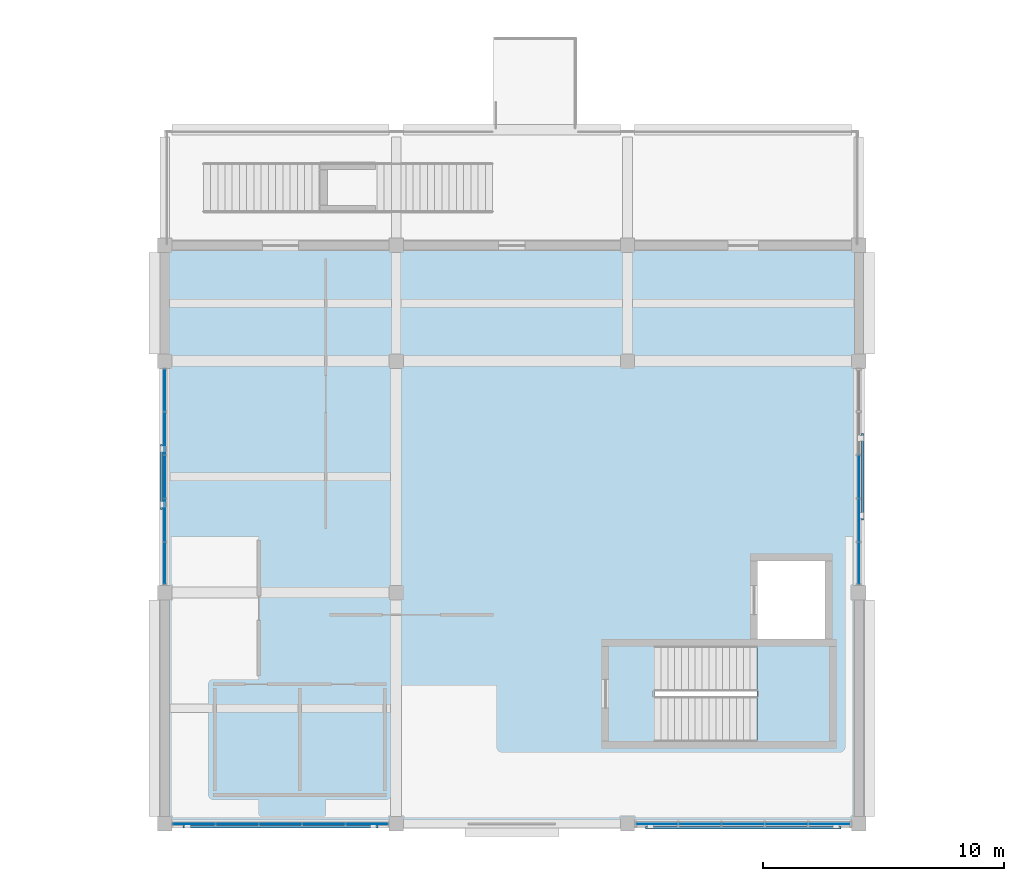
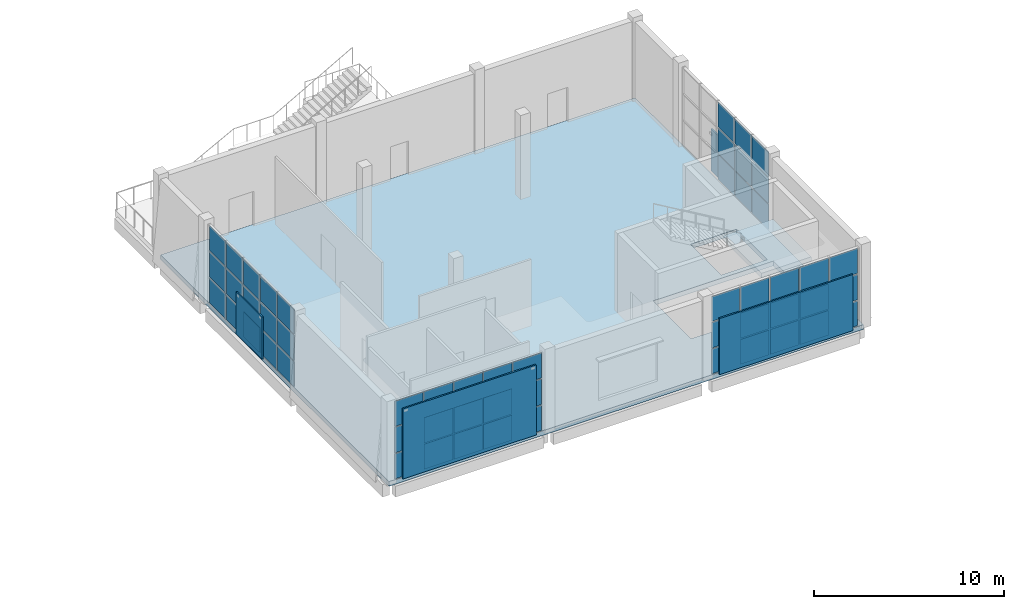
# One storey, part 29 of 57: 58 plates, 2 slabs, 5 elements without a shape of their own.
"""IFC4 building model written with IfcOpenShell, lengths in metres."""

from ifc_helpers import new_model, si_unit, direction, frame, origin, origin_2d, place, context, subcontext, project, spatial, polyline, rectangle, outline, extrude, material, layer, layer_set, type_object, element, aggregate, save


model = new_model("IFC4")

# Units and contexts
model_context = context("Model", 3, precision=1e-05, world=origin(), true_north=direction((0.0, 1.0)))
body_context = subcontext(model_context, "Body", "Model", "MODEL_VIEW")
ifc_project = project(units=[si_unit("LENGTHUNIT", "METRE"), si_unit("AREAUNIT", "SQUARE_METRE"), si_unit("VOLUMEUNIT", "CUBIC_METRE"), si_unit("PLANEANGLEUNIT", "RADIAN"), si_unit("MASSUNIT", "GRAM", prefix="KILO")], contexts=[model_context])

# Site, building, storey
site_placement = place(None, origin())
site = spatial("IfcSite", under=ifc_project, at=site_placement, CompositionType="ELEMENT")
building_placement = place(site_placement, origin())
building = spatial("IfcBuilding", under=site, at=building_placement, Name="Shalvenor Court Art Gallery", CompositionType="ELEMENT")
storey_placement = place(building_placement, frame((0.0, 0.0, 16.800048828125)))
storey = spatial("IfcBuildingStorey", under=building, at=storey_placement, Name="L03", CompositionType="ELEMENT", Elevation=16.800048828125)

# Curtain wall, plates
ifc_material_1 = material(Name="Anodised aluminium and low-iron glass curtain wall", Category="aluminium")
curtain_wall_type_1 = type_object("IfcCurtainWallType", Name="CW-5x3-90-51-222", PredefinedType="USERDEFINED", material=ifc_material_1)
curtain_wall_1_placement = place(storey_placement, origin())
curtain_wall_1 = element("IfcCurtainWall", 1, at=curtain_wall_1_placement, inside=storey, type_object=curtain_wall_type_1, Name="L03 V3 Curtain Wall CW-L03-109", ObjectType="CURTAIN WALL", PredefinedType="USERDEFINED")
ifc_material_2 = material(Name="Low-iron triple-silver solar gallery glazing IGU", Category="glass")
ifc_layer_1 = layer(ifc_material_2, 0.031982421875, Name="Low-iron triple-silver solar gallery glazing IGU")
ifc_layer_set_1 = layer_set([ifc_layer_1], Name="Low-iron triple-silver solar gallery glazing IGU")
plate_type_1 = type_object("IfcPlateType", Name="CWP-02", PredefinedType="CURTAIN_PANEL", material=ifc_layer_set_1)
plate_1_placement = place(storey_placement, frame((124.800048828125, 14.39990234375, 0.06494140625), z_axis=(0.0, 0.0, 1.0), x_axis=(0.0, -1.0, 0.0)))
plate_1 = element("IfcPlate", 2, at=plate_1_placement, type_object=plate_type_1, Name="CW-5x3-90-51-222 panel 3.1", PredefinedType="CURTAIN_PANEL", context=body_context, shape_type="SweptSolid", body=[
    extrude(rectangle(XDim=1.72998046875, YDim=0.031982421875, at=origin_2d()), origin(), (0.0, 0.0, 1.0), 1.6025390625),
])
plate_2_placement = place(storey_placement, frame((124.800048828125, 14.39990234375, 1.732421875), z_axis=(0.0, 0.0, 1.0), x_axis=(0.0, -1.0, 0.0)))
plate_2 = element("IfcPlate", 3, at=plate_2_placement, type_object=plate_type_1, Name="CW-5x3-90-51-222 panel 3.2", PredefinedType="CURTAIN_PANEL", context=body_context, shape_type="SweptSolid", body=[
    extrude(rectangle(XDim=1.72998046875, YDim=0.031982421875, at=origin_2d()), origin(), (0.0, 0.0, 1.0), 1.635009765625),
])
plate_3_placement = place(storey_placement, frame((124.800048828125, 14.39990234375, 3.432373046875), z_axis=(0.0, 0.0, 1.0), x_axis=(0.0, -1.0, 0.0)))
plate_3 = element("IfcPlate", 4, at=plate_3_placement, type_object=plate_type_1, Name="CW-5x3-90-51-222 panel 3.3", PredefinedType="CURTAIN_PANEL", context=body_context, shape_type="SweptSolid", body=[
    extrude(rectangle(XDim=1.72998046875, YDim=0.031982421875, at=origin_2d()), origin(), (0.0, 0.0, 1.0), 1.6025390625),
])
plate_4_placement = place(storey_placement, frame((124.800048828125, 12.60009765625, 0.06494140625), z_axis=(0.0, 0.0, 1.0), x_axis=(0.0, -1.0, 0.0)))
plate_4 = element("IfcPlate", 5, at=plate_4_placement, type_object=plate_type_1, Name="CW-5x3-90-51-222 panel 4.1", PredefinedType="CURTAIN_PANEL", context=body_context, shape_type="SweptSolid", body=[
    extrude(rectangle(XDim=1.72998046875, YDim=0.031982421875, at=origin_2d()), origin(), (0.0, 0.0, 1.0), 1.6025390625),
])
plate_5_placement = place(storey_placement, frame((124.800048828125, 12.60009765625, 1.732421875), z_axis=(0.0, 0.0, 1.0), x_axis=(0.0, -1.0, 0.0)))
plate_5 = element("IfcPlate", 6, at=plate_5_placement, type_object=plate_type_1, Name="CW-5x3-90-51-222 panel 4.2", PredefinedType="CURTAIN_PANEL", context=body_context, shape_type="SweptSolid", body=[
    extrude(rectangle(XDim=1.72998046875, YDim=0.031982421875, at=origin_2d()), origin(), (0.0, 0.0, 1.0), 1.635009765625),
])
plate_6_placement = place(storey_placement, frame((124.800048828125, 12.60009765625, 3.432373046875), z_axis=(0.0, 0.0, 1.0), x_axis=(0.0, -1.0, 0.0)))
plate_6 = element("IfcPlate", 7, at=plate_6_placement, type_object=plate_type_1, Name="CW-5x3-90-51-222 panel 4.3", PredefinedType="CURTAIN_PANEL", context=body_context, shape_type="SweptSolid", body=[
    extrude(rectangle(XDim=1.72998046875, YDim=0.031982421875, at=origin_2d()), origin(), (0.0, 0.0, 1.0), 1.6025390625),
])
plate_7_placement = place(storey_placement, frame((124.800048828125, 10.8173828125, 0.06494140625), z_axis=(0.0, 0.0, 1.0), x_axis=(0.0, -1.0, 0.0)))
plate_7 = element("IfcPlate", 8, at=plate_7_placement, type_object=plate_type_1, Name="CW-5x3-90-51-222 panel 5.1", PredefinedType="CURTAIN_PANEL", context=body_context, shape_type="SweptSolid", body=[
    extrude(rectangle(XDim=1.695068359375, YDim=0.031982421875, at=origin_2d()), origin(), (0.0, 0.0, 1.0), 1.6025390625),
])
plate_8_placement = place(storey_placement, frame((124.800048828125, 10.8173828125, 1.732421875), z_axis=(0.0, 0.0, 1.0), x_axis=(0.0, -1.0, 0.0)))
plate_8 = element("IfcPlate", 9, at=plate_8_placement, type_object=plate_type_1, Name="CW-5x3-90-51-222 panel 5.2", PredefinedType="CURTAIN_PANEL", context=body_context, shape_type="SweptSolid", body=[
    extrude(rectangle(XDim=1.695068359375, YDim=0.031982421875, at=origin_2d()), origin(), (0.0, 0.0, 1.0), 1.635009765625),
])
plate_9_placement = place(storey_placement, frame((124.800048828125, 10.8173828125, 3.432373046875), z_axis=(0.0, 0.0, 1.0), x_axis=(0.0, -1.0, 0.0)))
plate_9 = element("IfcPlate", 10, at=plate_9_placement, type_object=plate_type_1, Name="CW-5x3-90-51-222 panel 5.3", PredefinedType="CURTAIN_PANEL", context=body_context, shape_type="SweptSolid", body=[
    extrude(rectangle(XDim=1.695068359375, YDim=0.031982421875, at=origin_2d()), origin(), (0.0, 0.0, 1.0), 1.6025390625),
])
aggregate(curtain_wall_1, [plate_1, plate_2, plate_3, plate_4, plate_5, plate_6, plate_7, plate_8, plate_9])

ifc_material_3 = material(Name="Anodised aluminium and low-iron glass curtain wall", Category="aluminium")
curtain_wall_type_2 = type_object("IfcCurtainWallType", Name="CW-5x3-90-51-442", PredefinedType="USERDEFINED", material=ifc_material_3)
curtain_wall_2_placement = place(storey_placement, origin())
curtain_wall_2 = element("IfcCurtainWall", 11, at=curtain_wall_2_placement, inside=storey, type_object=curtain_wall_type_2, Name="L03 V3 Curtain Wall CW-L03-110", ObjectType="CURTAIN WALL", PredefinedType="USERDEFINED")
plate_10_placement = place(storey_placement, frame((123.581298828125, 0.0, 0.06982421875), z_axis=(0.0, 0.0, 1.0), x_axis=(-1.0, 0.0, 0.0)))
plate_10 = element("IfcPlate", 12, at=plate_10_placement, type_object=plate_type_1, Name="CW-5x3-90-51-442 panel 1.1", PredefinedType="CURTAIN_PANEL", context=body_context, shape_type="SweptSolid", body=[
    extrude(rectangle(XDim=1.6875, YDim=0.031982421875, at=origin_2d()), origin(), (0.0, 0.0, 1.0), 1.594970703125),
])
plate_11_placement = place(storey_placement, frame((123.581298828125, 0.0, 1.735107421875), z_axis=(0.0, 0.0, 1.0), x_axis=(-1.0, 0.0, 0.0)))
plate_11 = element("IfcPlate", 13, at=plate_11_placement, type_object=plate_type_1, Name="CW-5x3-90-51-442 panel 1.2", PredefinedType="CURTAIN_PANEL", context=body_context, shape_type="SweptSolid", body=[
    extrude(rectangle(XDim=1.6875, YDim=0.031982421875, at=origin_2d()), origin(), (0.0, 0.0, 1.0), 1.6298828125),
])
plate_12_placement = place(storey_placement, frame((123.581298828125, 0.0, 3.43505859375), z_axis=(0.0, 0.0, 1.0), x_axis=(-1.0, 0.0, 0.0)))
plate_12 = element("IfcPlate", 14, at=plate_12_placement, type_object=plate_type_1, Name="CW-5x3-90-51-442 panel 1.3", PredefinedType="CURTAIN_PANEL", context=body_context, shape_type="SweptSolid", body=[
    extrude(rectangle(XDim=1.6875, YDim=0.031982421875, at=origin_2d()), origin(), (0.0, 0.0, 1.0), 1.594970703125),
])
plate_13_placement = place(storey_placement, frame((121.800048828125, 0.0, 0.06982421875), z_axis=(0.0, 0.0, 1.0), x_axis=(-1.0, 0.0, 0.0)))
plate_13 = element("IfcPlate", 15, at=plate_13_placement, type_object=plate_type_1, Name="CW-5x3-90-51-442 panel 2.1", PredefinedType="CURTAIN_PANEL", context=body_context, shape_type="SweptSolid", body=[
    extrude(rectangle(XDim=1.72509765625, YDim=0.031982421875, at=origin_2d()), origin(), (0.0, 0.0, 1.0), 1.594970703125),
])
plate_14_placement = place(storey_placement, frame((121.800048828125, 0.0, 1.735107421875), z_axis=(0.0, 0.0, 1.0), x_axis=(-1.0, 0.0, 0.0)))
plate_14 = element("IfcPlate", 16, at=plate_14_placement, type_object=plate_type_1, Name="CW-5x3-90-51-442 panel 2.2", PredefinedType="CURTAIN_PANEL", context=body_context, shape_type="SweptSolid", body=[
    extrude(rectangle(XDim=1.72509765625, YDim=0.031982421875, at=origin_2d()), origin(), (0.0, 0.0, 1.0), 1.6298828125),
])
plate_15_placement = place(storey_placement, frame((121.800048828125, 0.0, 3.43505859375), z_axis=(0.0, 0.0, 1.0), x_axis=(-1.0, 0.0, 0.0)))
plate_15 = element("IfcPlate", 17, at=plate_15_placement, type_object=plate_type_1, Name="CW-5x3-90-51-442 panel 2.3", PredefinedType="CURTAIN_PANEL", context=body_context, shape_type="SweptSolid", body=[
    extrude(rectangle(XDim=1.72509765625, YDim=0.031982421875, at=origin_2d()), origin(), (0.0, 0.0, 1.0), 1.594970703125),
])
plate_16_placement = place(storey_placement, frame((120.0, 0.0, 0.06982421875), z_axis=(0.0, 0.0, 1.0), x_axis=(-1.0, 0.0, 0.0)))
plate_16 = element("IfcPlate", 18, at=plate_16_placement, type_object=plate_type_1, Name="CW-5x3-90-51-442 panel 3.1", PredefinedType="CURTAIN_PANEL", context=body_context, shape_type="SweptSolid", body=[
    extrude(rectangle(XDim=1.72509765625, YDim=0.031982421875, at=origin_2d()), origin(), (0.0, 0.0, 1.0), 1.594970703125),
])
plate_17_placement = place(storey_placement, frame((120.0, 0.0, 1.735107421875), z_axis=(0.0, 0.0, 1.0), x_axis=(-1.0, 0.0, 0.0)))
plate_17 = element("IfcPlate", 19, at=plate_17_placement, type_object=plate_type_1, Name="CW-5x3-90-51-442 panel 3.2", PredefinedType="CURTAIN_PANEL", context=body_context, shape_type="SweptSolid", body=[
    extrude(rectangle(XDim=1.72509765625, YDim=0.031982421875, at=origin_2d()), origin(), (0.0, 0.0, 1.0), 1.6298828125),
])
plate_18_placement = place(storey_placement, frame((120.0, 0.0, 3.43505859375), z_axis=(0.0, 0.0, 1.0), x_axis=(-1.0, 0.0, 0.0)))
plate_18 = element("IfcPlate", 20, at=plate_18_placement, type_object=plate_type_1, Name="CW-5x3-90-51-442 panel 3.3", PredefinedType="CURTAIN_PANEL", context=body_context, shape_type="SweptSolid", body=[
    extrude(rectangle(XDim=1.72509765625, YDim=0.031982421875, at=origin_2d()), origin(), (0.0, 0.0, 1.0), 1.594970703125),
])
plate_19_placement = place(storey_placement, frame((118.199951171875, 0.0, 0.06982421875), z_axis=(0.0, 0.0, 1.0), x_axis=(-1.0, 0.0, 0.0)))
plate_19 = element("IfcPlate", 21, at=plate_19_placement, type_object=plate_type_1, Name="CW-5x3-90-51-442 panel 4.1", PredefinedType="CURTAIN_PANEL", context=body_context, shape_type="SweptSolid", body=[
    extrude(rectangle(XDim=1.72509765625, YDim=0.031982421875, at=origin_2d()), origin(), (0.0, 0.0, 1.0), 1.594970703125),
])
plate_20_placement = place(storey_placement, frame((118.199951171875, 0.0, 1.735107421875), z_axis=(0.0, 0.0, 1.0), x_axis=(-1.0, 0.0, 0.0)))
plate_20 = element("IfcPlate", 22, at=plate_20_placement, type_object=plate_type_1, Name="CW-5x3-90-51-442 panel 4.2", PredefinedType="CURTAIN_PANEL", context=body_context, shape_type="SweptSolid", body=[
    extrude(rectangle(XDim=1.72509765625, YDim=0.031982421875, at=origin_2d()), origin(), (0.0, 0.0, 1.0), 1.6298828125),
])
plate_21_placement = place(storey_placement, frame((118.199951171875, 0.0, 3.43505859375), z_axis=(0.0, 0.0, 1.0), x_axis=(-1.0, 0.0, 0.0)))
plate_21 = element("IfcPlate", 23, at=plate_21_placement, type_object=plate_type_1, Name="CW-5x3-90-51-442 panel 4.3", PredefinedType="CURTAIN_PANEL", context=body_context, shape_type="SweptSolid", body=[
    extrude(rectangle(XDim=1.72509765625, YDim=0.031982421875, at=origin_2d()), origin(), (0.0, 0.0, 1.0), 1.594970703125),
])
plate_22_placement = place(storey_placement, frame((116.418701171875, 0.0, 0.06982421875), z_axis=(0.0, 0.0, 1.0), x_axis=(-1.0, 0.0, 0.0)))
plate_22 = element("IfcPlate", 24, at=plate_22_placement, type_object=plate_type_1, Name="CW-5x3-90-51-442 panel 5.1", PredefinedType="CURTAIN_PANEL", context=body_context, shape_type="SweptSolid", body=[
    extrude(rectangle(XDim=1.6875, YDim=0.031982421875, at=origin_2d()), origin(), (0.0, 0.0, 1.0), 1.594970703125),
])
plate_23_placement = place(storey_placement, frame((116.418701171875, 0.0, 1.735107421875), z_axis=(0.0, 0.0, 1.0), x_axis=(-1.0, 0.0, 0.0)))
plate_23 = element("IfcPlate", 25, at=plate_23_placement, type_object=plate_type_1, Name="CW-5x3-90-51-442 panel 5.2", PredefinedType="CURTAIN_PANEL", context=body_context, shape_type="SweptSolid", body=[
    extrude(rectangle(XDim=1.6875, YDim=0.031982421875, at=origin_2d()), origin(), (0.0, 0.0, 1.0), 1.6298828125),
])
plate_24_placement = place(storey_placement, frame((116.418701171875, 0.0, 3.43505859375), z_axis=(0.0, 0.0, 1.0), x_axis=(-1.0, 0.0, 0.0)))
plate_24 = element("IfcPlate", 26, at=plate_24_placement, type_object=plate_type_1, Name="CW-5x3-90-51-442 panel 5.3", PredefinedType="CURTAIN_PANEL", context=body_context, shape_type="SweptSolid", body=[
    extrude(rectangle(XDim=1.6875, YDim=0.031982421875, at=origin_2d()), origin(), (0.0, 0.0, 1.0), 1.594970703125),
])
aggregate(curtain_wall_2, [plate_10, plate_11, plate_12, plate_13, plate_14, plate_15, plate_16, plate_17, plate_18, plate_19, plate_20, plate_21, plate_22, plate_23, plate_24])

ifc_material_4 = material(Name="Anodised aluminium and low-iron glass curtain wall", Category="aluminium")
curtain_wall_type_3 = type_object("IfcCurtainWallType", Name="CW-5x3-90-51-612", PredefinedType="USERDEFINED", material=ifc_material_4)
curtain_wall_3_placement = place(storey_placement, origin())
curtain_wall_3 = element("IfcCurtainWall", 27, at=curtain_wall_3_placement, inside=storey, type_object=curtain_wall_type_3, Name="L03 V3 Curtain Wall CW-L03-111", ObjectType="CURTAIN WALL", PredefinedType="USERDEFINED")
plate_25_placement = place(storey_placement, frame((104.38623046875, 0.0, 0.06005859375), z_axis=(0.0, 0.0, 1.0), x_axis=(-1.0, 0.0, 0.0)))
plate_25 = element("IfcPlate", 28, at=plate_25_placement, type_object=plate_type_1, Name="CW-5x3-90-51-612 panel 1.1", PredefinedType="CURTAIN_PANEL", context=body_context, shape_type="SweptSolid", body=[
    extrude(rectangle(XDim=1.717529296875, YDim=0.031982421875, at=origin_2d()), origin(), (0.0, 0.0, 1.0), 1.610107421875),
])
plate_26_placement = place(storey_placement, frame((104.38623046875, 0.0, 1.72998046875), z_axis=(0.0, 0.0, 1.0), x_axis=(-1.0, 0.0, 0.0)))
plate_26 = element("IfcPlate", 29, at=plate_26_placement, type_object=plate_type_1, Name="CW-5x3-90-51-612 panel 1.2", PredefinedType="CURTAIN_PANEL", context=body_context, shape_type="SweptSolid", body=[
    extrude(rectangle(XDim=1.717529296875, YDim=0.031982421875, at=origin_2d()), origin(), (0.0, 0.0, 1.0), 1.639892578125),
])
plate_27_placement = place(storey_placement, frame((104.38623046875, 0.0, 3.4296875), z_axis=(0.0, 0.0, 1.0), x_axis=(-1.0, 0.0, 0.0)))
plate_27 = element("IfcPlate", 30, at=plate_27_placement, type_object=plate_type_1, Name="CW-5x3-90-51-612 panel 1.3", PredefinedType="CURTAIN_PANEL", context=body_context, shape_type="SweptSolid", body=[
    extrude(rectangle(XDim=1.717529296875, YDim=0.031982421875, at=origin_2d()), origin(), (0.0, 0.0, 1.0), 1.610107421875),
])
plate_28_placement = place(storey_placement, frame((102.60009765625, 0.0, 0.06005859375), z_axis=(0.0, 0.0, 1.0), x_axis=(-1.0, 0.0, 0.0)))
plate_28 = element("IfcPlate", 31, at=plate_28_placement, type_object=plate_type_1, Name="CW-5x3-90-51-612 panel 2.1", PredefinedType="CURTAIN_PANEL", context=body_context, shape_type="SweptSolid", body=[
    extrude(rectangle(XDim=1.7451171875, YDim=0.031982421875, at=origin_2d()), origin(), (0.0, 0.0, 1.0), 1.610107421875),
])
plate_29_placement = place(storey_placement, frame((102.60009765625, 0.0, 1.72998046875), z_axis=(0.0, 0.0, 1.0), x_axis=(-1.0, 0.0, 0.0)))
plate_29 = element("IfcPlate", 32, at=plate_29_placement, type_object=plate_type_1, Name="CW-5x3-90-51-612 panel 2.2", PredefinedType="CURTAIN_PANEL", context=body_context, shape_type="SweptSolid", body=[
    extrude(rectangle(XDim=1.7451171875, YDim=0.031982421875, at=origin_2d()), origin(), (0.0, 0.0, 1.0), 1.639892578125),
])
plate_30_placement = place(storey_placement, frame((102.60009765625, 0.0, 3.4296875), z_axis=(0.0, 0.0, 1.0), x_axis=(-1.0, 0.0, 0.0)))
plate_30 = element("IfcPlate", 33, at=plate_30_placement, type_object=plate_type_1, Name="CW-5x3-90-51-612 panel 2.3", PredefinedType="CURTAIN_PANEL", context=body_context, shape_type="SweptSolid", body=[
    extrude(rectangle(XDim=1.7451171875, YDim=0.031982421875, at=origin_2d()), origin(), (0.0, 0.0, 1.0), 1.610107421875),
])
plate_31_placement = place(storey_placement, frame((100.800048828125, 0.0, 0.06005859375), z_axis=(0.0, 0.0, 1.0), x_axis=(-1.0, 0.0, 0.0)))
plate_31 = element("IfcPlate", 34, at=plate_31_placement, type_object=plate_type_1, Name="CW-5x3-90-51-612 panel 3.1", PredefinedType="CURTAIN_PANEL", context=body_context, shape_type="SweptSolid", body=[
    extrude(rectangle(XDim=1.7451171875, YDim=0.031982421875, at=origin_2d()), origin(), (0.0, 0.0, 1.0), 1.610107421875),
])
plate_32_placement = place(storey_placement, frame((100.800048828125, 0.0, 1.72998046875), z_axis=(0.0, 0.0, 1.0), x_axis=(-1.0, 0.0, 0.0)))
plate_32 = element("IfcPlate", 35, at=plate_32_placement, type_object=plate_type_1, Name="CW-5x3-90-51-612 panel 3.2", PredefinedType="CURTAIN_PANEL", context=body_context, shape_type="SweptSolid", body=[
    extrude(rectangle(XDim=1.7451171875, YDim=0.031982421875, at=origin_2d()), origin(), (0.0, 0.0, 1.0), 1.639892578125),
])
plate_33_placement = place(storey_placement, frame((100.800048828125, 0.0, 3.4296875), z_axis=(0.0, 0.0, 1.0), x_axis=(-1.0, 0.0, 0.0)))
plate_33 = element("IfcPlate", 36, at=plate_33_placement, type_object=plate_type_1, Name="CW-5x3-90-51-612 panel 3.3", PredefinedType="CURTAIN_PANEL", context=body_context, shape_type="SweptSolid", body=[
    extrude(rectangle(XDim=1.7451171875, YDim=0.031982421875, at=origin_2d()), origin(), (0.0, 0.0, 1.0), 1.610107421875),
])
plate_34_placement = place(storey_placement, frame((99.0, 0.0, 0.06005859375), z_axis=(0.0, 0.0, 1.0), x_axis=(-1.0, 0.0, 0.0)))
plate_34 = element("IfcPlate", 37, at=plate_34_placement, type_object=plate_type_1, Name="CW-5x3-90-51-612 panel 4.1", PredefinedType="CURTAIN_PANEL", context=body_context, shape_type="SweptSolid", body=[
    extrude(rectangle(XDim=1.7451171875, YDim=0.031982421875, at=origin_2d()), origin(), (0.0, 0.0, 1.0), 1.610107421875),
])
plate_35_placement = place(storey_placement, frame((99.0, 0.0, 1.72998046875), z_axis=(0.0, 0.0, 1.0), x_axis=(-1.0, 0.0, 0.0)))
plate_35 = element("IfcPlate", 38, at=plate_35_placement, type_object=plate_type_1, Name="CW-5x3-90-51-612 panel 4.2", PredefinedType="CURTAIN_PANEL", context=body_context, shape_type="SweptSolid", body=[
    extrude(rectangle(XDim=1.7451171875, YDim=0.031982421875, at=origin_2d()), origin(), (0.0, 0.0, 1.0), 1.639892578125),
])
plate_36_placement = place(storey_placement, frame((99.0, 0.0, 3.4296875), z_axis=(0.0, 0.0, 1.0), x_axis=(-1.0, 0.0, 0.0)))
plate_36 = element("IfcPlate", 39, at=plate_36_placement, type_object=plate_type_1, Name="CW-5x3-90-51-612 panel 4.3", PredefinedType="CURTAIN_PANEL", context=body_context, shape_type="SweptSolid", body=[
    extrude(rectangle(XDim=1.7451171875, YDim=0.031982421875, at=origin_2d()), origin(), (0.0, 0.0, 1.0), 1.610107421875),
])
plate_37_placement = place(storey_placement, frame((97.2138671875, 0.0, 0.06005859375), z_axis=(0.0, 0.0, 1.0), x_axis=(-1.0, 0.0, 0.0)))
plate_37 = element("IfcPlate", 40, at=plate_37_placement, type_object=plate_type_1, Name="CW-5x3-90-51-612 panel 5.1", PredefinedType="CURTAIN_PANEL", context=body_context, shape_type="SweptSolid", body=[
    extrude(rectangle(XDim=1.717529296875, YDim=0.031982421875, at=origin_2d()), origin(), (0.0, 0.0, 1.0), 1.610107421875),
])
plate_38_placement = place(storey_placement, frame((97.2138671875, 0.0, 1.72998046875), z_axis=(0.0, 0.0, 1.0), x_axis=(-1.0, 0.0, 0.0)))
plate_38 = element("IfcPlate", 41, at=plate_38_placement, type_object=plate_type_1, Name="CW-5x3-90-51-612 panel 5.2", PredefinedType="CURTAIN_PANEL", context=body_context, shape_type="SweptSolid", body=[
    extrude(rectangle(XDim=1.717529296875, YDim=0.031982421875, at=origin_2d()), origin(), (0.0, 0.0, 1.0), 1.639892578125),
])
plate_39_placement = place(storey_placement, frame((97.2138671875, 0.0, 3.4296875), z_axis=(0.0, 0.0, 1.0), x_axis=(-1.0, 0.0, 0.0)))
plate_39 = element("IfcPlate", 42, at=plate_39_placement, type_object=plate_type_1, Name="CW-5x3-90-51-612 panel 5.3", PredefinedType="CURTAIN_PANEL", context=body_context, shape_type="SweptSolid", body=[
    extrude(rectangle(XDim=1.717529296875, YDim=0.031982421875, at=origin_2d()), origin(), (0.0, 0.0, 1.0), 1.610107421875),
])
aggregate(curtain_wall_3, [plate_25, plate_26, plate_27, plate_28, plate_29, plate_30, plate_31, plate_32, plate_33, plate_34, plate_35, plate_36, plate_37, plate_38, plate_39])

ifc_material_5 = material(Name="Anodised aluminium and low-iron glass curtain wall", Category="aluminium")
curtain_wall_type_4 = type_object("IfcCurtainWallType", Name="CW-5x3-90-51-122", PredefinedType="USERDEFINED", material=ifc_material_5)
curtain_wall_4_placement = place(storey_placement, origin())
curtain_wall_4 = element("IfcCurtainWall", 43, at=curtain_wall_4_placement, inside=storey, type_object=curtain_wall_type_4, Name="L03 V3 Curtain Wall CW-L03-112", ObjectType="CURTAIN WALL", PredefinedType="USERDEFINED")
plate_40_placement = place(storey_placement, frame((96.0, 10.816162109375, 0.06494140625), z_axis=(0.0, 0.0, 1.0), x_axis=(0.0, 1.0, 0.0)))
plate_40 = element("IfcPlate", 44, at=plate_40_placement, type_object=plate_type_1, Name="CW-5x3-90-51-122 panel 1.1", PredefinedType="CURTAIN_PANEL", context=body_context, shape_type="SweptSolid", body=[
    extrude(rectangle(XDim=1.702392578125, YDim=0.031982421875, at=origin_2d()), origin(), (0.0, 0.0, 1.0), 1.6025390625),
])
plate_41_placement = place(storey_placement, frame((96.0, 10.816162109375, 1.732421875), z_axis=(0.0, 0.0, 1.0), x_axis=(0.0, 1.0, 0.0)))
plate_41 = element("IfcPlate", 45, at=plate_41_placement, type_object=plate_type_1, Name="CW-5x3-90-51-122 panel 1.2", PredefinedType="CURTAIN_PANEL", context=body_context, shape_type="SweptSolid", body=[
    extrude(rectangle(XDim=1.702392578125, YDim=0.031982421875, at=origin_2d()), origin(), (0.0, 0.0, 1.0), 1.635009765625),
])
plate_42_placement = place(storey_placement, frame((96.0, 10.816162109375, 3.432373046875), z_axis=(0.0, 0.0, 1.0), x_axis=(0.0, 1.0, 0.0)))
plate_42 = element("IfcPlate", 46, at=plate_42_placement, type_object=plate_type_1, Name="CW-5x3-90-51-122 panel 1.3", PredefinedType="CURTAIN_PANEL", context=body_context, shape_type="SweptSolid", body=[
    extrude(rectangle(XDim=1.702392578125, YDim=0.031982421875, at=origin_2d()), origin(), (0.0, 0.0, 1.0), 1.6025390625),
])
plate_43_placement = place(storey_placement, frame((96.0, 12.60009765625, 0.06494140625), z_axis=(0.0, 0.0, 1.0), x_axis=(0.0, 1.0, 0.0)))
plate_43 = element("IfcPlate", 47, at=plate_43_placement, type_object=plate_type_1, Name="CW-5x3-90-51-122 panel 2.1", PredefinedType="CURTAIN_PANEL", context=body_context, shape_type="SweptSolid", body=[
    extrude(rectangle(XDim=1.735107421875, YDim=0.031982421875, at=origin_2d()), origin(), (0.0, 0.0, 1.0), 1.6025390625),
])
plate_44_placement = place(storey_placement, frame((96.0, 12.60009765625, 1.732421875), z_axis=(0.0, 0.0, 1.0), x_axis=(0.0, 1.0, 0.0)))
plate_44 = element("IfcPlate", 48, at=plate_44_placement, type_object=plate_type_1, Name="CW-5x3-90-51-122 panel 2.2", PredefinedType="CURTAIN_PANEL", context=body_context, shape_type="SweptSolid", body=[
    extrude(rectangle(XDim=1.735107421875, YDim=0.031982421875, at=origin_2d()), origin(), (0.0, 0.0, 1.0), 1.635009765625),
])
plate_45_placement = place(storey_placement, frame((96.0, 12.60009765625, 3.432373046875), z_axis=(0.0, 0.0, 1.0), x_axis=(0.0, 1.0, 0.0)))
plate_45 = element("IfcPlate", 49, at=plate_45_placement, type_object=plate_type_1, Name="CW-5x3-90-51-122 panel 2.3", PredefinedType="CURTAIN_PANEL", context=body_context, shape_type="SweptSolid", body=[
    extrude(rectangle(XDim=1.735107421875, YDim=0.031982421875, at=origin_2d()), origin(), (0.0, 0.0, 1.0), 1.6025390625),
])
plate_46_placement = place(storey_placement, frame((96.0, 14.39990234375, 0.06494140625), z_axis=(0.0, 0.0, 1.0), x_axis=(0.0, 1.0, 0.0)))
plate_46 = element("IfcPlate", 50, at=plate_46_placement, type_object=plate_type_1, Name="CW-5x3-90-51-122 panel 3.1", PredefinedType="CURTAIN_PANEL", context=body_context, shape_type="SweptSolid", body=[
    extrude(rectangle(XDim=1.735107421875, YDim=0.031982421875, at=origin_2d()), origin(), (0.0, 0.0, 1.0), 1.6025390625),
])
plate_47_placement = place(storey_placement, frame((96.0, 14.39990234375, 1.732421875), z_axis=(0.0, 0.0, 1.0), x_axis=(0.0, 1.0, 0.0)))
plate_47 = element("IfcPlate", 51, at=plate_47_placement, type_object=plate_type_1, Name="CW-5x3-90-51-122 panel 3.2", PredefinedType="CURTAIN_PANEL", context=body_context, shape_type="SweptSolid", body=[
    extrude(rectangle(XDim=1.735107421875, YDim=0.031982421875, at=origin_2d()), origin(), (0.0, 0.0, 1.0), 1.635009765625),
])
plate_48_placement = place(storey_placement, frame((96.0, 14.39990234375, 3.432373046875), z_axis=(0.0, 0.0, 1.0), x_axis=(0.0, 1.0, 0.0)))
plate_48 = element("IfcPlate", 52, at=plate_48_placement, type_object=plate_type_1, Name="CW-5x3-90-51-122 panel 3.3", PredefinedType="CURTAIN_PANEL", context=body_context, shape_type="SweptSolid", body=[
    extrude(rectangle(XDim=1.735107421875, YDim=0.031982421875, at=origin_2d()), origin(), (0.0, 0.0, 1.0), 1.6025390625),
])
plate_49_placement = place(storey_placement, frame((96.0, 16.199951171875, 0.06494140625), z_axis=(0.0, 0.0, 1.0), x_axis=(0.0, 1.0, 0.0)))
plate_49 = element("IfcPlate", 53, at=plate_49_placement, type_object=plate_type_1, Name="CW-5x3-90-51-122 panel 4.1", PredefinedType="CURTAIN_PANEL", context=body_context, shape_type="SweptSolid", body=[
    extrude(rectangle(XDim=1.735107421875, YDim=0.031982421875, at=origin_2d()), origin(), (0.0, 0.0, 1.0), 1.6025390625),
])
plate_50_placement = place(storey_placement, frame((96.0, 16.199951171875, 1.732421875), z_axis=(0.0, 0.0, 1.0), x_axis=(0.0, 1.0, 0.0)))
plate_50 = element("IfcPlate", 54, at=plate_50_placement, type_object=plate_type_1, Name="CW-5x3-90-51-122 panel 4.2", PredefinedType="CURTAIN_PANEL", context=body_context, shape_type="SweptSolid", body=[
    extrude(rectangle(XDim=1.735107421875, YDim=0.031982421875, at=origin_2d()), origin(), (0.0, 0.0, 1.0), 1.635009765625),
])
plate_51_placement = place(storey_placement, frame((96.0, 16.199951171875, 3.432373046875), z_axis=(0.0, 0.0, 1.0), x_axis=(0.0, 1.0, 0.0)))
plate_51 = element("IfcPlate", 55, at=plate_51_placement, type_object=plate_type_1, Name="CW-5x3-90-51-122 panel 4.3", PredefinedType="CURTAIN_PANEL", context=body_context, shape_type="SweptSolid", body=[
    extrude(rectangle(XDim=1.735107421875, YDim=0.031982421875, at=origin_2d()), origin(), (0.0, 0.0, 1.0), 1.6025390625),
])
plate_52_placement = place(storey_placement, frame((96.0, 17.983642578125, 0.06494140625), z_axis=(0.0, 0.0, 1.0), x_axis=(0.0, 1.0, 0.0)))
plate_52 = element("IfcPlate", 56, at=plate_52_placement, type_object=plate_type_1, Name="CW-5x3-90-51-122 panel 5.1", PredefinedType="CURTAIN_PANEL", context=body_context, shape_type="SweptSolid", body=[
    extrude(rectangle(XDim=1.702392578125, YDim=0.031982421875, at=origin_2d()), origin(), (0.0, 0.0, 1.0), 1.6025390625),
])
plate_53_placement = place(storey_placement, frame((96.0, 17.983642578125, 1.732421875), z_axis=(0.0, 0.0, 1.0), x_axis=(0.0, 1.0, 0.0)))
plate_53 = element("IfcPlate", 57, at=plate_53_placement, type_object=plate_type_1, Name="CW-5x3-90-51-122 panel 5.2", PredefinedType="CURTAIN_PANEL", context=body_context, shape_type="SweptSolid", body=[
    extrude(rectangle(XDim=1.702392578125, YDim=0.031982421875, at=origin_2d()), origin(), (0.0, 0.0, 1.0), 1.635009765625),
])
plate_54_placement = place(storey_placement, frame((96.0, 17.983642578125, 3.432373046875), z_axis=(0.0, 0.0, 1.0), x_axis=(0.0, 1.0, 0.0)))
plate_54 = element("IfcPlate", 58, at=plate_54_placement, type_object=plate_type_1, Name="CW-5x3-90-51-122 panel 5.3", PredefinedType="CURTAIN_PANEL", context=body_context, shape_type="SweptSolid", body=[
    extrude(rectangle(XDim=1.702392578125, YDim=0.031982421875, at=origin_2d()), origin(), (0.0, 0.0, 1.0), 1.6025390625),
])
aggregate(curtain_wall_4, [plate_40, plate_41, plate_42, plate_43, plate_44, plate_45, plate_46, plate_47, plate_48, plate_49, plate_50, plate_51, plate_52, plate_53, plate_54])

# Slab
ifc_material_6 = material(Name="Concrete C40/50", Category="concrete")
ifc_layer_2 = layer(ifc_material_6, 0.300048828125, Name="Concrete C40/50")
ifc_layer_set_2 = layer_set([ifc_layer_2], Name="Concrete C40/50")
slab_type_1 = type_object("IfcSlabType", Name="FS-300", PredefinedType="FLOOR", material=ifc_layer_set_2)
slab_1_placement = place(storey_placement, frame((0.0, 0.0, -0.300048828125)))
element("IfcSlab", 59, at=slab_1_placement, inside=storey, type_object=slab_type_1, Name="L03 V3 Floor Slab 1", PredefinedType="FLOOR", context=body_context, shape_type="SweptSolid", body=[
    extrude(outline(polyline([(124.800048828125, 24.0), (124.800048828125, 0.0), (96.0, 0.0), (96.0, 24.0), (124.800048828125, 24.0)]), holes=[polyline([(116.31103515625, 3.39990234375), (123.60009765625, 3.39990234375), (123.60009765625, 7.39990234375), (116.31103515625, 7.39990234375), (116.31103515625, 3.39990234375)]), polyline([(120.60009765625, 10.89990234375), (120.60009765625, 7.672119140625), (123.39990234375, 7.672119140625), (123.39990234375, 10.89990234375), (120.60009765625, 10.89990234375)])]), origin(), (0.0, 0.0, 1.0), 0.300048828125),
])

# Plates
ifc_material_7 = material(Name="Perforated pale limestone GRC lattice", Category="masonry")
ifc_layer_3 = layer(ifc_material_7, 0.090087890625, Name="Perforated pale limestone GRC lattice")
ifc_layer_set_3 = layer_set([ifc_layer_3], Name="Perforated pale limestone GRC lattice")
plate_type_2 = type_object("IfcPlateType", Name="SCR-10", PredefinedType="USERDEFINED", material=ifc_layer_set_3)
plate_55_placement = place(storey_placement, frame((124.943115234375, 14.39990234375, 0.0), z_axis=(0.0, 0.0, 1.0), x_axis=(0.0, -1.0, 0.0)))
element("IfcPlate", 60, at=plate_55_placement, inside=storey, type_object=plate_type_2, Name="L03 V3 Perforated Stone Lattice Screen PLT-SCR-0094", ObjectType="SCREEN", PredefinedType="USERDEFINED", context=body_context, shape_type="SweptSolid", body=[
    extrude(rectangle(XDim=3.60009765625, YDim=0.090087890625, at=origin_2d()), origin(), (0.0, 0.0, 1.0), 2.699951171875),
])
ifc_material_8 = material(Name="Perforated pale limestone GRC lattice", Category="masonry")
ifc_layer_4 = layer(ifc_material_8, 0.094970703125, Name="Perforated pale limestone GRC lattice")
ifc_layer_set_4 = layer_set([ifc_layer_4], Name="Perforated pale limestone GRC lattice")
plate_type_3 = type_object("IfcPlateType", Name="SCR-11", PredefinedType="USERDEFINED", material=ifc_layer_set_4)
plate_56_placement = place(storey_placement, frame((120.0, -0.155517578125, 0.0), z_axis=(0.0, 0.0, 1.0), x_axis=(-1.0, 0.0, 0.0)))
element("IfcPlate", 61, at=plate_56_placement, inside=storey, type_object=plate_type_3, Name="L03 V3 Perforated Stone Lattice Screen PLT-SCR-0095", ObjectType="SCREEN", PredefinedType="USERDEFINED", context=body_context, shape_type="SweptSolid", body=[
    extrude(rectangle(XDim=8.10009765625, YDim=0.094970703125, at=origin_2d()), origin(), (0.0, 0.0, 1.0), 3.60009765625),
])
ifc_material_9 = material(Name="Perforated pale limestone GRC lattice", Category="masonry")
ifc_layer_5 = layer(ifc_material_9, 0.094970703125, Name="Perforated pale limestone GRC lattice")
ifc_layer_set_5 = layer_set([ifc_layer_5], Name="Perforated pale limestone GRC lattice")
plate_type_4 = type_object("IfcPlateType", Name="SCR-12", PredefinedType="USERDEFINED", material=ifc_layer_set_5)
plate_57_placement = place(storey_placement, frame((100.800048828125, -0.115478515625, 0.0), z_axis=(0.0, 0.0, 1.0), x_axis=(-1.0, 0.0, 0.0)))
element("IfcPlate", 62, at=plate_57_placement, inside=storey, type_object=plate_type_4, Name="L03 V3 Perforated Stone Lattice Screen PLT-SCR-0096", ObjectType="SCREEN", PredefinedType="USERDEFINED", context=body_context, shape_type="SweptSolid", body=[
    extrude(rectangle(XDim=8.10009765625, YDim=0.094970703125, at=origin_2d()), origin(), (0.0, 0.0, 1.0), 4.5),
])
ifc_material_10 = material(Name="Perforated pale limestone GRC lattice", Category="masonry")
ifc_layer_6 = layer(ifc_material_10, 0.0849609375, Name="Perforated pale limestone GRC lattice")
ifc_layer_set_6 = layer_set([ifc_layer_6], Name="Perforated pale limestone GRC lattice")
plate_type_5 = type_object("IfcPlateType", Name="SCR-13", PredefinedType="USERDEFINED", material=ifc_layer_set_6)
plate_58_placement = place(storey_placement, frame((95.869384765625, 14.39990234375, 0.0), z_axis=(0.0, 0.0, 1.0), x_axis=(0.0, 1.0, 0.0)))
element("IfcPlate", 63, at=plate_58_placement, inside=storey, type_object=plate_type_5, Name="L03 V3 Perforated Stone Lattice Screen PLT-SCR-0097", ObjectType="SCREEN", PredefinedType="USERDEFINED", context=body_context, shape_type="SweptSolid", body=[
    extrude(rectangle(XDim=2.699951171875, YDim=0.0849609375, at=origin_2d()), origin(), (0.0, 0.0, 1.0), 2.699951171875),
])

# Stair, slab
ifc_material_11 = material(Name="Concrete C40/50", Category="concrete")
stair_type = type_object("IfcStairType", Name="ST-DL-32R-1900", PredefinedType="HALF_TURN_STAIR", material=ifc_material_11)
stair_placement = place(storey_placement, origin())
stair = element("IfcStair", 64, at=stair_placement, inside=storey, type_object=stair_type, Name="L03 Core Dogleg Stair ST-04", PredefinedType="HALF_TURN_STAIR")
ifc_material_12 = material(Name="Concrete C40/50", Category="concrete")
ifc_layer_7 = layer(ifc_material_12, 0.300048828125, Name="Concrete C40/50")
ifc_layer_set_7 = layer_set([ifc_layer_7], Name="Concrete C40/50")
slab_type_2 = type_object("IfcSlabType", Name="SLD-300", PredefinedType="LANDING", material=ifc_layer_set_7)
slab_2_placement = place(storey_placement, frame((0.0, 0.0, 2.39990234375)))
slab_2 = element("IfcSlab", 65, at=slab_2_placement, type_object=slab_type_2, Name="ST-DL-32R-1900 landing 1", PredefinedType="LANDING", context=body_context, shape_type="SweptSolid", body=[
    extrude(outline(polyline([(120.574951171875, 3.39990234375), (123.60009765625, 3.39990234375), (123.60009765625, 7.39990234375), (120.574951171875, 7.39990234375), (120.574951171875, 3.39990234375)])), origin(), (0.0, 0.0, 1.0), 0.300048828125),
])
aggregate(stair, [slab_2])

save(model, "model.ifc")
